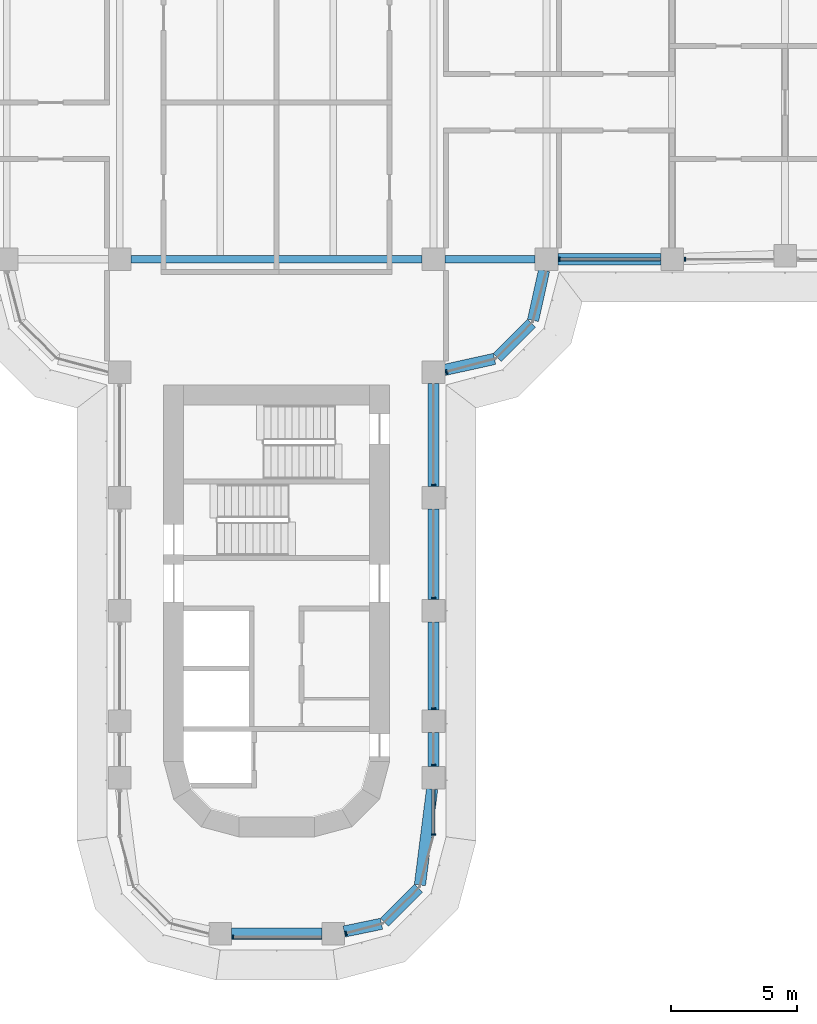
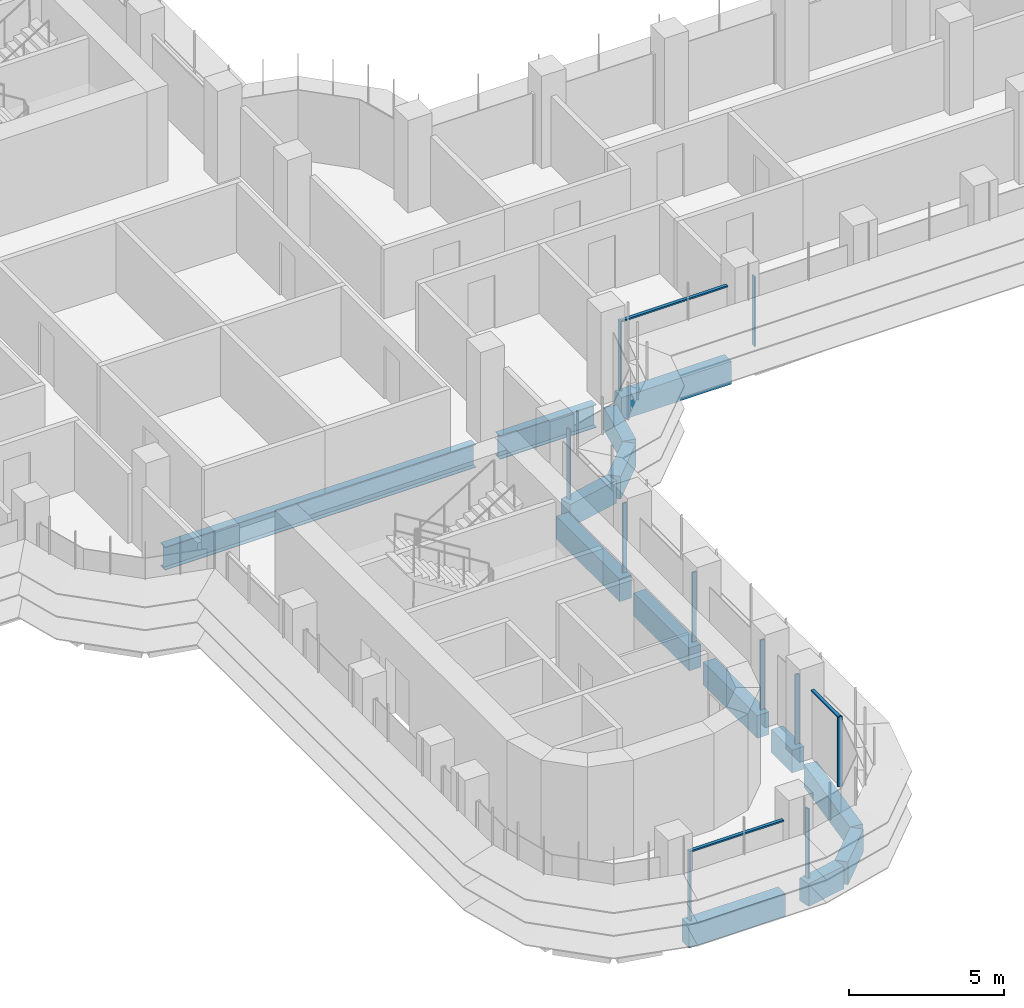
# One storey, part 4 of 22: 14 beams, 13 members, 5 elements without a shape of their own.
"""IFC4 building model written with IfcOpenShell, lengths in metres."""

from ifc_helpers import new_model, si_unit, direction, frame, origin, origin_2d, place, context, subcontext, project, spatial, polyline, rectangle, i_section, outline, extrude, source, transform, mapped, material, material_profile, profile_set, type_object, element, aggregate, save


model = new_model("IFC4")

# Units and contexts
model_context = context("Model", 3, precision=1e-05, world=origin(), true_north=direction((0.0, 1.0)))
body_context = subcontext(model_context, "Body", "Model", "MODEL_VIEW")
ifc_project = project(units=[si_unit("LENGTHUNIT", "METRE"), si_unit("AREAUNIT", "SQUARE_METRE"), si_unit("VOLUMEUNIT", "CUBIC_METRE"), si_unit("PLANEANGLEUNIT", "RADIAN"), si_unit("MASSUNIT", "GRAM", prefix="KILO")], contexts=[model_context])

# Site, building, storey
site_placement = place(None, origin())
site = spatial("IfcSite", under=ifc_project, at=site_placement, CompositionType="ELEMENT")
building_placement = place(site_placement, origin())
building = spatial("IfcBuilding", under=site, at=building_placement, Name="Zarbagh Exchange Tower", CompositionType="ELEMENT")
storey_placement = place(building_placement, frame((0.0, 0.0, 113.199951171875)))
storey = spatial("IfcBuildingStorey", under=building, at=storey_placement, Name="L26", CompositionType="ELEMENT", Elevation=113.199951171875)

# Beams
ifc_material_1 = material(Name="Steel ASTM A992 Gr 50", Category="steel")
ifc_material_profile_1 = material_profile(ifc_material_1, i_section(OverallWidth=0.3046875, OverallDepth=0.911865234375, WebThickness=0.015869140625, FlangeThickness=0.02392578125, at=origin_2d()), Name="W36X150")
ifc_profile_set_1 = profile_set([ifc_material_profile_1], Name="Steel ASTM A992 Gr 50")
beam_type_1 = type_object("IfcBeamType", Name="Floor girder W36X150", PredefinedType="BEAM", material=ifc_profile_set_1)
beam_1_placement = place(storey_placement, frame((-5.800048828125, -6.25, -0.60595703125), z_axis=(1.0, 0.0, 0.0), x_axis=(0.0, 1.0, 0.0)))
element("IfcBeam", 1, at=beam_1_placement, inside=storey, type_object=beam_type_1, Name="Steel girder", PredefinedType="BEAM", context=body_context, shape_type="SweptSolid", body=[
    extrude(i_section(OverallWidth=0.3046875, OverallDepth=0.911865234375, WebThickness=0.015869140625, FlangeThickness=0.02392578125, at=origin_2d()), origin(), (0.0, 0.0, 1.0), 11.60009765625),
])
beam_2_placement = place(storey_placement, frame((6.699951171875, -6.25, -0.60595703125), z_axis=(1.0, 0.0, 0.0), x_axis=(0.0, 1.0, 0.0)))
element("IfcBeam", 2, at=beam_2_placement, inside=storey, type_object=beam_type_1, Name="Steel girder", PredefinedType="BEAM", context=body_context, shape_type="SweptSolid", body=[
    extrude(i_section(OverallWidth=0.3046875, OverallDepth=0.911865234375, WebThickness=0.015869140625, FlangeThickness=0.02392578125, at=origin_2d()), origin(), (0.0, 0.0, 1.0), 3.60009765625),
])
ifc_material_2 = material(Name="Concrete C60/75", Category="concrete")
ifc_material_profile_2 = material_profile(ifc_material_2, rectangle(XDim=0.449951171875, YDim=0.89990234375, at=origin_2d()), Name="RC spandrel beam 450 x 900 C60/75")
ifc_profile_set_2 = profile_set([ifc_material_profile_2], Name="Concrete C60/75")
beam_type_2 = type_object("IfcBeamType", Name="RC spandrel beam 450 x 900 C60/75", PredefinedType="SPANDREL", material=ifc_profile_set_2)
beam_3_placement = place(storey_placement, frame((15.300048828125, -6.25, -0.599853515625), z_axis=(-1.0, 0.0, 0.0), x_axis=(0.0, -1.0, 0.0)))
element("IfcBeam", 3, at=beam_3_placement, inside=storey, type_object=beam_type_2, Name="RC spandrel beam", PredefinedType="SPANDREL", context=body_context, shape_type="SweptSolid", body=[
    extrude(rectangle(XDim=0.449951171875, YDim=0.89990234375, at=origin_2d()), origin(), (0.0, 0.0, 1.0), 4.10009765625),
])
beam_4_placement = place(storey_placement, frame((10.65283203125, -6.689453125, -0.599853515625), z_axis=(-0.216117666208, -0.976367325525, 0.0), x_axis=(0.976367325525, -0.216117666208, 0.0)))
element("IfcBeam", 4, at=beam_4_placement, inside=storey, type_object=beam_type_2, Name="RC spandrel beam", PredefinedType="SPANDREL", context=body_context, shape_type="SweptSolid", body=[
    extrude(rectangle(XDim=0.449951171875, YDim=0.89990234375, at=origin_2d()), origin(), (0.0, 0.0, 1.0), 2.03564453125),
])
beam_5_placement = place(storey_placement, frame((10.15234375, -8.78759765625, -0.599853515625), z_axis=(-0.707106781187, -0.707106781187, 0.0), x_axis=(0.707106781187, -0.707106781187, 0.0)))
element("IfcBeam", 5, at=beam_5_placement, inside=storey, type_object=beam_type_2, Name="RC spandrel beam", PredefinedType="SPANDREL", context=body_context, shape_type="SweptSolid", body=[
    extrude(rectangle(XDim=0.449951171875, YDim=0.89990234375, at=origin_2d()), origin(), (0.0, 0.0, 1.0), 1.929931640625),
])
beam_6_placement = place(storey_placement, frame((8.677001953125, -10.212890625, -0.599853515625), z_axis=(-0.976367325525, -0.216117666208, 0.0), x_axis=(0.216117666208, -0.976367325525, 0.0)))
element("IfcBeam", 6, at=beam_6_placement, inside=storey, type_object=beam_type_2, Name="RC spandrel beam", PredefinedType="SPANDREL", context=body_context, shape_type="SweptSolid", body=[
    extrude(rectangle(XDim=0.449951171875, YDim=0.89990234375, at=origin_2d()), origin(), (0.0, 0.0, 1.0), 2.03564453125),
])
beam_7_placement = place(storey_placement, frame((6.25, -11.199951171875, -0.599853515625), z_axis=(0.0, -1.0, 0.0), x_axis=(1.0, 0.0, 0.0)))
element("IfcBeam", 7, at=beam_7_placement, inside=storey, type_object=beam_type_2, Name="RC spandrel beam", PredefinedType="SPANDREL", context=body_context, shape_type="SweptSolid", body=[
    extrude(rectangle(XDim=0.449951171875, YDim=0.89990234375, at=origin_2d()), origin(), (0.0, 0.0, 1.0), 4.10009765625),
])
beam_8_placement = place(storey_placement, frame((6.25, -16.199951171875, -0.599853515625), z_axis=(0.0, -1.0, 0.0), x_axis=(1.0, 0.0, 0.0)))
element("IfcBeam", 8, at=beam_8_placement, inside=storey, type_object=beam_type_2, Name="RC spandrel beam", PredefinedType="SPANDREL", context=body_context, shape_type="SweptSolid", body=[
    extrude(rectangle(XDim=0.449951171875, YDim=0.89990234375, at=origin_2d()), origin(), (0.0, 0.0, 1.0), 3.60009765625),
])
beam_9_placement = place(storey_placement, frame((6.25, -20.699951171875, -0.599853515625), z_axis=(0.0, -1.0, 0.0), x_axis=(1.0, 0.0, 0.0)))
element("IfcBeam", 9, at=beam_9_placement, inside=storey, type_object=beam_type_2, Name="RC spandrel beam", PredefinedType="SPANDREL", context=body_context, shape_type="SweptSolid", body=[
    extrude(rectangle(XDim=0.449951171875, YDim=0.89990234375, at=origin_2d()), origin(), (0.0, 0.0, 1.0), 3.5),
])
beam_10_placement = place(storey_placement, frame((6.25, -25.10009765625, -0.599853515625), z_axis=(0.0, -1.0, 0.0), x_axis=(1.0, 0.0, 0.0)))
element("IfcBeam", 10, at=beam_10_placement, inside=storey, type_object=beam_type_2, Name="RC spandrel beam", PredefinedType="SPANDREL", context=body_context, shape_type="SweptSolid", body=[
    extrude(rectangle(XDim=0.449951171875, YDim=0.89990234375, at=origin_2d()), origin(), (0.0, 0.0, 1.0), 1.349853515625),
])
beam_11_placement = place(storey_placement, frame((6.193359375, -27.346435546875, -0.599853515625), z_axis=(-0.12597055537, -0.992033980859, 0.0), x_axis=(0.992033980859, -0.12597055537, 0.0)))
element("IfcBeam", 11, at=beam_11_placement, inside=storey, type_object=beam_type_2, Name="RC spandrel beam", PredefinedType="SPANDREL", context=body_context, shape_type="SweptSolid", body=[
    extrude(rectangle(XDim=0.449951171875, YDim=0.89990234375, at=origin_2d()), origin(), (0.0, 0.0, 1.0), 3.84912109375),
])
beam_12_placement = place(storey_placement, frame((5.644287109375, -31.295654296875, -0.599853515625), z_axis=(-0.707106781187, -0.707106781187, 0.0), x_axis=(0.707106781187, -0.707106781187, 0.0)))
element("IfcBeam", 12, at=beam_12_placement, inside=storey, type_object=beam_type_2, Name="RC spandrel beam", PredefinedType="SPANDREL", context=body_context, shape_type="SweptSolid", body=[
    extrude(rectangle(XDim=0.449951171875, YDim=0.89990234375, at=origin_2d()), origin(), (0.0, 0.0, 1.0), 1.9169921875),
])
beam_13_placement = place(storey_placement, frame((4.17529296875, -32.71240234375, -0.599853515625), z_axis=(-0.979328675816, -0.202275417995, 0.0), x_axis=(0.202275417995, -0.979328675816, 0.0)))
element("IfcBeam", 13, at=beam_13_placement, inside=storey, type_object=beam_type_2, Name="RC spandrel beam", PredefinedType="SPANDREL", context=body_context, shape_type="SweptSolid", body=[
    extrude(rectangle(XDim=0.449951171875, YDim=0.89990234375, at=origin_2d()), origin(), (0.0, 0.0, 1.0), 1.515869140625),
])
beam_14_placement = place(storey_placement, frame((1.800048828125, -33.110107421875, -0.599853515625), z_axis=(-1.0, 0.0, 0.0), x_axis=(0.0, -1.0, 0.0)))
element("IfcBeam", 14, at=beam_14_placement, inside=storey, type_object=beam_type_2, Name="RC spandrel beam", PredefinedType="SPANDREL", context=body_context, shape_type="SweptSolid", body=[
    extrude(rectangle(XDim=0.449951171875, YDim=0.89990234375, at=origin_2d()), origin(), (0.0, 0.0, 1.0), 3.60009765625),
])

# Curtain wall, member
ifc_material_3 = material(Name="Anodised aluminium frame and glazing", Category="aluminium")
curtain_wall_type = type_object("IfcCurtainWallType", Name="CWA Ribbon glazing, lower zones", PredefinedType="NOTDEFINED", material=ifc_material_3)
curtain_wall_1_placement = place(storey_placement, origin())
curtain_wall_1 = element("IfcCurtainWall", 15, at=curtain_wall_1_placement, inside=storey, type_object=curtain_wall_type, Name="CWA01 curtain wall", PredefinedType="NOTDEFINED")
ifc_material_4 = material(Name="Anodised aluminium frame", Category="aluminium")
member_type_1 = type_object("IfcMemberType", Name="MUA Mullion, anodised aluminium frame", PredefinedType="MULLION", material=ifc_material_4)
shared_shape_1 = source(origin(), body_context, "Body", "SweptSolid", [
    extrude(outline(polyline([(0.0, -0.080078125), (0.06005859375, -0.080078125), (0.06005859375, 0.080078125), (0.0, 0.080078125), (0.0, -0.080078125)])), origin(), (0.0, 0.0, 1.0), 2.75),
])
placement = place(storey_placement, origin())
member_1 = element("IfcMember", 16, at=placement, type_object=member_type_1, Name="CWA01 mullion 1.1", PredefinedType="MULLION", context=body_context, shape_type="MappedRepresentation", body=[
    mapped(shared_shape_1, transform((2.739990234375, -33.10107421875, 0.0), x_axis=(0.965924289636, 0.258824779902, 0.0), y_axis=(-0.258824779902, 0.965924289636, 0.0), z_axis=(0.0, 0.0, 1.0))),
])
aggregate(curtain_wall_1, [member_1])

# Curtain wall, members
curtain_wall_2_placement = place(storey_placement, origin())
curtain_wall_2 = element("IfcCurtainWall", 17, at=curtain_wall_2_placement, inside=storey, type_object=curtain_wall_type, Name="CWA04 curtain wall", PredefinedType="NOTDEFINED")
member_2 = element("IfcMember", 18, at=placement, type_object=member_type_1, Name="CWA04 mullion 1.1", PredefinedType="MULLION", context=body_context, shape_type="MappedRepresentation", body=[
    mapped(shared_shape_1, transform((6.25, -29.18408203125, 0.0), x_axis=(0.0, 1.0, 0.0), y_axis=(-1.0, 0.0, 0.0), z_axis=(0.0, 0.0, 1.0))),
])
member_3 = element("IfcMember", 19, at=placement, type_object=member_type_1, Name="CWA04 mullion 2.1", PredefinedType="MULLION", context=body_context, shape_type="MappedRepresentation", body=[
    mapped(shared_shape_1, transform((6.25, -26.409912109375, 0.0), x_axis=(0.0, 1.0, 0.0), y_axis=(-1.0, 0.0, 0.0), z_axis=(0.0, 0.0, 1.0))),
])
member_4 = element("IfcMember", 20, at=placement, type_object=member_type_1, Name="CWA04 mullion 3.1", PredefinedType="MULLION", context=body_context, shape_type="MappedRepresentation", body=[
    mapped(shared_shape_1, transform((6.25, -24.159912109375, 0.0), x_axis=(0.0, 1.0, 0.0), y_axis=(-1.0, 0.0, 0.0), z_axis=(0.0, 0.0, 1.0))),
])
member_5 = element("IfcMember", 21, at=placement, type_object=member_type_1, Name="CWA04 mullion 4.1", PredefinedType="MULLION", context=body_context, shape_type="MappedRepresentation", body=[
    mapped(shared_shape_1, transform((6.25, -19.760009765625, 0.0), x_axis=(0.0, 1.0, 0.0), y_axis=(-1.0, 0.0, 0.0), z_axis=(0.0, 0.0, 1.0))),
])
member_6 = element("IfcMember", 22, at=placement, type_object=member_type_1, Name="CWA04 mullion 5.1", PredefinedType="MULLION", context=body_context, shape_type="MappedRepresentation", body=[
    mapped(shared_shape_1, transform((6.25, -15.260009765625, 0.0), x_axis=(0.0, 1.0, 0.0), y_axis=(-1.0, 0.0, 0.0), z_axis=(0.0, 0.0, 1.0))),
])

# Curtain wall, member
curtain_wall_3_placement = place(storey_placement, origin())
curtain_wall_3 = element("IfcCurtainWall", 23, at=curtain_wall_3_placement, inside=storey, type_object=curtain_wall_type, Name="CWA05 curtain wall", PredefinedType="NOTDEFINED")
member_7 = element("IfcMember", 24, at=placement, type_object=member_type_1, Name="CWA05 mullion 1.1", PredefinedType="MULLION", context=body_context, shape_type="MappedRepresentation", body=[
    mapped(shared_shape_1, transform((6.739990234375, -10.735107421875, 0.0), x_axis=(0.965924289636, 0.258824779902, 0.0), y_axis=(-0.258824779902, 0.965924289636, 0.0), z_axis=(0.0, 0.0, 1.0))),
])
aggregate(curtain_wall_3, [member_7])

# Curtain wall, members
curtain_wall_4_placement = place(storey_placement, origin())
curtain_wall_4 = element("IfcCurtainWall", 25, at=curtain_wall_4_placement, inside=storey, type_object=curtain_wall_type, Name="CWA08 curtain wall", PredefinedType="NOTDEFINED")
member_8 = element("IfcMember", 26, at=placement, type_object=member_type_1, Name="CWA08 mullion 1.1", PredefinedType="MULLION", context=body_context, shape_type="MappedRepresentation", body=[
    mapped(shared_shape_1, transform((11.239990234375, -6.25, 0.0), x_axis=(1.0, 0.0, 0.0), y_axis=(0.0, 1.0, 0.0), z_axis=(0.0, 0.0, 1.0))),
])
member_9 = element("IfcMember", 27, at=placement, type_object=member_type_1, Name="CWA08 mullion 2.1", PredefinedType="MULLION", context=body_context, shape_type="MappedRepresentation", body=[
    mapped(shared_shape_1, transform((16.239990234375, -6.25, 0.0), x_axis=(1.0, 0.0, 0.0), y_axis=(0.0, 1.0, 0.0), z_axis=(0.0, 0.0, 1.0))),
])

# Curtain wall, member
curtain_wall_5_placement = place(storey_placement, origin())
curtain_wall_5 = element("IfcCurtainWall", 28, at=curtain_wall_5_placement, inside=storey, type_object=curtain_wall_type, Name="CWA48 curtain wall", PredefinedType="NOTDEFINED")
member_10 = element("IfcMember", 29, at=placement, type_object=member_type_1, Name="CWA48 mullion 1.1", PredefinedType="MULLION", context=body_context, shape_type="MappedRepresentation", body=[
    mapped(shared_shape_1, transform((-1.760009765625, -33.25, 0.0), x_axis=(1.0, 0.0, 0.0), y_axis=(0.0, 1.0, 0.0), z_axis=(0.0, 0.0, 1.0))),
])

# Member
member_type_2 = type_object("IfcMemberType", Name="TRA Transom, anodised aluminium frame", PredefinedType="USERDEFINED", material=ifc_material_4)
shared_shape_2 = source(origin(), body_context, "Body", "SweptSolid", [
    extrude(outline(polyline([(-0.06005859375, -0.06005859375), (0.0, -0.06005859375), (0.0, 0.06005859375), (-0.06005859375, 0.06005859375), (-0.06005859375, -0.06005859375)])), origin(), (0.0, 0.0, 1.0), 1.734130859375),
])
member_11 = element("IfcMember", 30, at=placement, type_object=member_type_2, Name="CWA04 transom 1.1", ObjectType="TRANSOM", PredefinedType="USERDEFINED", context=body_context, shape_type="MappedRepresentation", body=[
    mapped(shared_shape_2, transform((6.25, -29.124267578125, 2.75), x_axis=(0.0, 0.0, 1.0), y_axis=(1.0, 0.0, 0.0), z_axis=(0.0, 1.0, 0.0))),
])

aggregate(curtain_wall_2, [member_2, member_11, member_3, member_4, member_5, member_6])

shared_shape_3 = source(origin(), body_context, "Body", "SweptSolid", [
    extrude(outline(polyline([(-0.06005859375, -0.06005859375), (0.0, -0.06005859375), (0.0, 0.06005859375), (-0.06005859375, 0.06005859375), (-0.06005859375, -0.06005859375)])), origin(), (0.0, 0.0, 1.0), 3.9599609375),
])
member_12 = element("IfcMember", 31, at=placement, type_object=member_type_2, Name="CWA08 transom 1.1", ObjectType="TRANSOM", PredefinedType="USERDEFINED", context=body_context, shape_type="MappedRepresentation", body=[
    mapped(shared_shape_3, transform((11.300048828125, -6.25, 2.75), x_axis=(0.0, 0.0, 1.0), y_axis=(0.0, -1.0, 0.0), z_axis=(1.0, 0.0, 0.0))),
])

aggregate(curtain_wall_4, [member_8, member_12, member_9])

shared_shape_4 = source(origin(), body_context, "Body", "SweptSolid", [
    extrude(outline(polyline([(-0.06005859375, -0.06005859375), (0.0, -0.06005859375), (0.0, 0.06005859375), (-0.06005859375, 0.06005859375), (-0.06005859375, -0.06005859375)])), origin(), (0.0, 0.0, 1.0), 3.4599609375),
])
member_13 = element("IfcMember", 32, at=placement, type_object=member_type_2, Name="CWA48 transom 1.1", ObjectType="TRANSOM", PredefinedType="USERDEFINED", context=body_context, shape_type="MappedRepresentation", body=[
    mapped(shared_shape_4, transform((-1.699951171875, -33.25, 2.75), x_axis=(0.0, 0.0, 1.0), y_axis=(0.0, -1.0, 0.0), z_axis=(1.0, 0.0, 0.0))),
])

aggregate(curtain_wall_5, [member_10, member_13])

save(model, "model.ifc")
